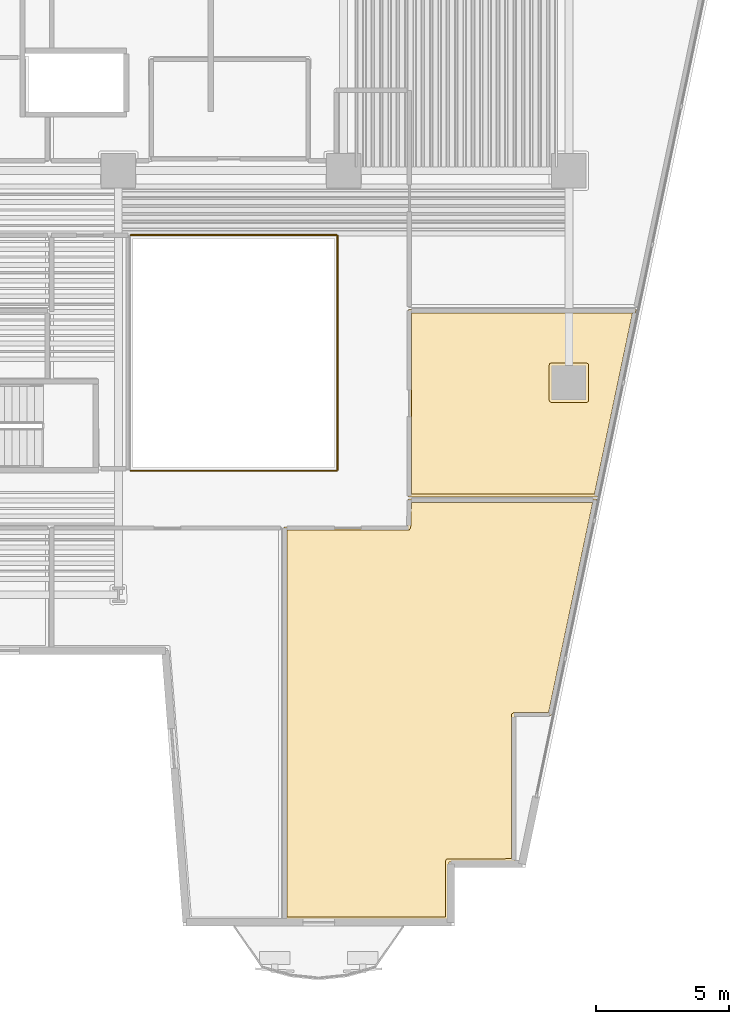
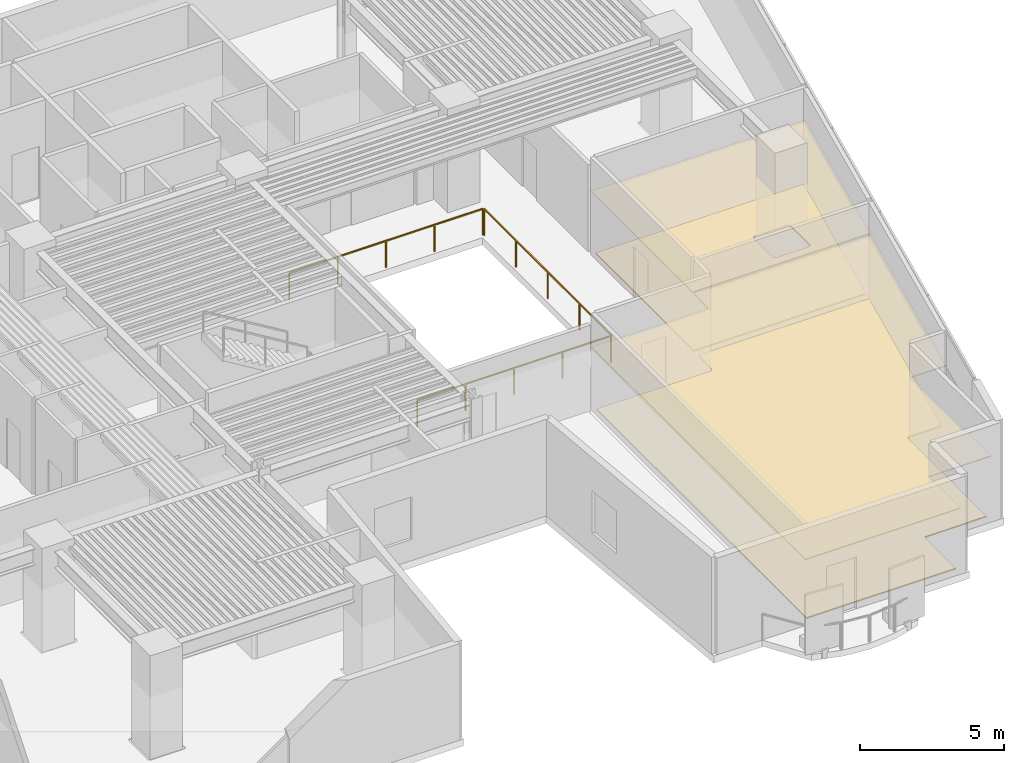
# One storey, part 9 of 11: 4 coverings, 3 railings.
"""IFC4 building model written with IfcOpenShell, lengths in metres."""

import ifcopenshell
import ifcopenshell.guid

model = None  # the IFC model being written
_history = None  # IfcOwnerHistory: only IFC2X3 demands one
_inside = {}  # id of a spatial element -> (the spatial element, [elements in it])
_under = {}  # id of a project, library or spatial element -> (it, [spatial elements below it])
_declared = {}  # id of a project -> (the project, [libraries it declares])
_typed = {}  # id of a type object -> (the type object, [elements of that type])
_made_of = {}  # id of a material, layer set ... -> (it, [elements and type objects made of it])


def new_model(schema):
    """Start an empty IFC model of exactly this schema.

    Asked for "IFC4X3", IfcOpenShell would pick the latest addendum, in which some entities
    have other attributes; the version numbers below select the first issue.
    IFC2X3 requires an IfcOwnerHistory on every rooted entity: one is made here for all.
    """
    global model, _history
    if schema == "IFC4X3":
        model = ifcopenshell.file(schema_version=(4, 3, 0, 0))
    else:
        model = ifcopenshell.file(schema=schema)
    _inside.clear()
    _under.clear()
    _declared.clear()
    _typed.clear()
    _made_of.clear()
    _history = None
    if model.schema == "IFC2X3":
        org = make("IfcOrganization", Name="unknown")
        user = make(
            "IfcPersonAndOrganization",
            ThePerson=make("IfcPerson", FamilyName="unknown"),
            TheOrganization=org,
        )
        app = make(
            "IfcApplication",
            ApplicationDeveloper=org,
            Version="unknown",
            ApplicationFullName="unknown",
            ApplicationIdentifier="unknown",
        )
        _history = make(
            "IfcOwnerHistory",
            OwningUser=user,
            OwningApplication=app,
            ChangeAction="ADDED",
            CreationDate=0,
        )
    return model


def make(cls, **values):
    """One entity of the class cls with the attributes given. An attribute that is None is left unset."""
    return model.create_entity(
        cls, **{name: value for name, value in values.items() if value is not None}
    )


def rooted(cls, **values):
    """An entity with a GlobalId (a new one), such as an element, a storey or a relation."""
    return make(cls, GlobalId=ifcopenshell.guid.new(), OwnerHistory=_history, **values)


def si_unit(unit_type, name, prefix=None):
    """IfcSIUnit, for example si_unit("LENGTHUNIT", "METRE", prefix="MILLI")."""
    return make("IfcSIUnit", UnitType=unit_type, Prefix=prefix, Name=name)


def assignment(units):
    """IfcUnitAssignment: the units of a project."""
    return None if units is None else make("IfcUnitAssignment", Units=units)


def point(xyz):
    """IfcCartesianPoint."""
    return None if xyz is None else make("IfcCartesianPoint", Coordinates=xyz)


def direction(xyz):
    """IfcDirection."""
    return None if xyz is None else make("IfcDirection", DirectionRatios=xyz)


def frame(location, z_axis=None, x_axis=None):
    """IfcAxis2Placement3D, a coordinate frame: its origin and axes. An axis left out is left unset."""
    return make(
        "IfcAxis2Placement3D",
        Location=point(location),
        Axis=direction(z_axis),
        RefDirection=direction(x_axis),
    )


def frame_2d(location, x_axis=None):
    """IfcAxis2Placement2D, a coordinate frame in the plane: its origin and x axis."""
    return make(
        "IfcAxis2Placement2D", Location=point(location), RefDirection=direction(x_axis)
    )


def origin():
    """The frame at (0, 0, 0) with its axes left unset."""
    return frame((0.0, 0.0, 0.0))


def origin_2d():
    """The frame at (0, 0) in the plane with its x axis left unset."""
    return frame_2d((0.0, 0.0))


def place(relative_to, where):
    """IfcLocalPlacement: puts the frame where relative to a parent placement (None: the world)."""
    return make(
        "IfcLocalPlacement", PlacementRelTo=relative_to, RelativePlacement=where
    )


def context(
    kind, dimensions, precision=None, world=None, true_north=None, identifier=None
):
    """IfcGeometricRepresentationContext, for example the 3D "Model" context."""
    return make(
        "IfcGeometricRepresentationContext",
        ContextIdentifier=identifier,
        ContextType=kind,
        CoordinateSpaceDimension=dimensions,
        Precision=precision,
        WorldCoordinateSystem=world,
        TrueNorth=true_north,
    )


def subcontext(parent, identifier, kind, view, scale=None):
    """IfcGeometricRepresentationSubContext, for example "Body" below "Model"."""
    return make(
        "IfcGeometricRepresentationSubContext",
        ContextIdentifier=identifier,
        ContextType=kind,
        ParentContext=parent,
        TargetScale=scale,
        TargetView=view,
    )


def project(units=None, contexts=None):
    """IfcProject with its units and contexts."""
    return rooted(
        "IfcProject",
        Name="project",
        RepresentationContexts=contexts,
        UnitsInContext=assignment(units),
    )


def spatial(cls, under=None, at=None, **own):
    """A site, building, storey or space (cls), placed at a placement, below another one or the project."""
    s = rooted(cls, ObjectPlacement=at, **own)
    if under is not None:
        _under.setdefault(under.id(), (under, []))[1].append(s)
    return s


def polyline(points):
    """IfcPolyline through the points."""
    return make("IfcPolyline", Points=[point(p) for p in points])


def profile(cls, at=None, kind="AREA", **sizes):
    """A parametric profile (cls). Its sizes go by their IFC names, for example OverallWidth=200.0."""
    return make(cls, ProfileType=kind, Position=at, **sizes)


def rectangle(**sizes):
    """IfcRectangleProfileDef."""
    return profile("IfcRectangleProfileDef", **sizes)


def outline(outer, holes=None, kind="AREA"):
    """IfcArbitraryClosedProfileDef: a profile drawn as a closed curve; with holes, ...WithVoids."""
    if holes is None:
        return make("IfcArbitraryClosedProfileDef", ProfileType=kind, OuterCurve=outer)
    return make(
        "IfcArbitraryProfileDefWithVoids",
        ProfileType=kind,
        OuterCurve=outer,
        InnerCurves=holes,
    )


def extrude(swept, where, along, depth):
    """IfcExtrudedAreaSolid: the profile swept, set in the frame where, extruded along a direction by depth."""
    return make(
        "IfcExtrudedAreaSolid",
        SweptArea=swept,
        Position=where,
        ExtrudedDirection=direction(along),
        Depth=depth,
    )


def shape(context_of_items, identifier, shape_type, items):
    """IfcShapeRepresentation: the items that make up one representation, for example the "Body"."""
    return make(
        "IfcShapeRepresentation",
        ContextOfItems=context_of_items,
        RepresentationIdentifier=identifier,
        RepresentationType=shape_type,
        Items=items,
    )


def material(Name=None, Category=None):
    """IfcMaterial."""
    return make("IfcMaterial", Name=Name, Category=Category)


def layer(
    of_material, thickness, ventilated=None, Name=None, Category=None, Priority=None
):
    """IfcMaterialLayer: one layer of a wall or slab, of a material (None: an air gap)."""
    return make(
        "IfcMaterialLayer",
        Material=of_material,
        LayerThickness=thickness,
        IsVentilated=ventilated,
        Name=Name,
        Category=Category,
        Priority=Priority,
    )


def layer_set(layers, Name=None):
    """IfcMaterialLayerSet."""
    return make("IfcMaterialLayerSet", MaterialLayers=layers, LayerSetName=Name)


def made_of(thing, what):
    """Note that an element or type object is made of a material, layer set ...; save() writes the relation."""
    if what is not None:
        _made_of.setdefault(what.id(), (what, []))[1].append(thing)
    return thing


def type_object(cls, material=None, **own):
    """A type object (cls), such as IfcWallType, which elements share."""
    return made_of(rooted(cls, **own), material)


def element(
    cls,
    number,
    at=None,
    inside=None,
    cuts=None,
    type_object=None,
    material=None,
    context=None,
    identifier="Body",
    shape_type=None,
    held_by="IfcProductDefinitionShape",
    body=None,
    shapes=None,
    **own,
):
    """One element of the class cls, such as IfcWall. Its Tag is "e" and its number.

    at: its placement. inside: the storey or other place that contains it. cuts: it is an
    opening in that element (IfcRelVoidsElement). A single representation is given by context,
    identifier, shape_type and body (its items); several are given by shapes. held_by: the class
    of the entity that holds the representations. save() writes the other relations.
    """
    e = rooted(cls, Tag="e%d" % number, ObjectPlacement=at, **own)
    if body is not None:
        shapes = [shape(context, identifier, shape_type, body)]
    if shapes is not None:
        e.Representation = make(held_by, Representations=shapes)
    if inside is not None:
        _inside.setdefault(inside.id(), (inside, []))[1].append(e)
    if cuts is not None:
        rooted(
            "IfcRelVoidsElement", RelatingBuildingElement=cuts, RelatedOpeningElement=e
        )
    if type_object is not None:
        _typed.setdefault(type_object.id(), (type_object, []))[1].append(e)
    return made_of(e, material)


def aggregate(whole, parts):
    """IfcRelAggregates: a whole, such as a stair, and the parts it consists of."""
    return rooted("IfcRelAggregates", RelatingObject=whole, RelatedObjects=parts)


def save(model, path):
    """Write the relations noted so far, then the file.

    IfcRelAggregates (storeys below a building ...), IfcRelContainedInSpatialStructure (elements
    in a storey), IfcRelDefinesByType, IfcRelAssociatesMaterial and IfcRelDeclares: one each for
    every whole, place, type object, material and project.
    """
    for whole, parts in _under.values():
        aggregate(whole, parts)
    for where, things in _inside.values():
        rooted(
            "IfcRelContainedInSpatialStructure",
            RelatedElements=things,
            RelatingStructure=where,
        )
    for kind, things in _typed.values():
        rooted("IfcRelDefinesByType", RelatedObjects=things, RelatingType=kind)
    for what, things in _made_of.values():
        rooted("IfcRelAssociatesMaterial", RelatedObjects=things, RelatingMaterial=what)
    for by, libraries in _declared.values():
        rooted("IfcRelDeclares", RelatingContext=by, RelatedDefinitions=libraries)
    model.write(path)


model = new_model("IFC4")

# Units and contexts
model_context = context("Model", 3, precision=1e-05, world=origin(), true_north=direction((0.0, 1.0)))
body_context = subcontext(model_context, "Body", "Model", "MODEL_VIEW")
ifc_project = project(units=[si_unit("LENGTHUNIT", "METRE"), si_unit("AREAUNIT", "SQUARE_METRE"), si_unit("VOLUMEUNIT", "CUBIC_METRE"), si_unit("PLANEANGLEUNIT", "RADIAN"), si_unit("MASSUNIT", "GRAM", prefix="KILO")], contexts=[model_context])

# Site, building, storey
site_placement = place(None, origin())
site = spatial("IfcSite", under=ifc_project, at=site_placement, CompositionType="ELEMENT")
building_placement = place(site_placement, origin())
building = spatial("IfcBuilding", under=site, at=building_placement, Name="Caeloran Harvest Quay", CompositionType="ELEMENT")
storey_placement = place(building_placement, frame((0.0, 0.0, 53.39990234375)))
storey = spatial("IfcBuildingStorey", under=building, at=storey_placement, Name="L12", CompositionType="ELEMENT", Elevation=53.39990234375)

# Coverings
ifc_material_1 = material(Name="Perforated Mineral-Fibre Acoustic Ceiling Tile", Category="ceiling")
ifc_layer_1 = layer(ifc_material_1, 0.0400390625, Name="Perforated Mineral-Fibre Acoustic Ceiling Tile")
ifc_layer_set_1 = layer_set([ifc_layer_1], Name="Perforated Mineral-Fibre Acoustic Ceiling Tile")
covering_type_1 = type_object("IfcCoveringType", Name="COV-CEILING-ACOUSTIC", PredefinedType="CEILING", material=ifc_layer_set_1)
covering_1_placement = place(storey_placement, frame((0.0, 0.0, 2.60009765625)))
element("IfcCovering", 1, at=covering_1_placement, inside=storey, type_object=covering_type_1, Name="Hydroponic Culinary Kitchen Acoustic Ceiling", PredefinedType="CEILING", context=body_context, shape_type="SweptSolid", body=[
    extrude(outline(polyline([(52.04638671875, 18.610107421875), (50.330078125, 10.43994140625), (48.9599609375, 10.43994140625), (48.9599609375, 4.919921875), (46.467041015625, 4.919921875), (46.467041015625, 2.719970703125), (40.239990234375, 2.719970703125), (40.239990234375, 17.56005859375), (44.9111328125, 17.56005859375), (44.941162109375, 18.610107421875), (52.04638671875, 18.610107421875)])), origin(), (0.0, 0.0, 1.0), 0.0400390625),
])
covering_2_placement = place(storey_placement, frame((0.0, 0.0, 2.60009765625)))
element("IfcCovering", 2, at=covering_2_placement, inside=storey, type_object=covering_type_1, Name="Mycology QA Laboratory Acoustic Ceiling", PredefinedType="CEILING", context=body_context, shape_type="SweptSolid", body=[
    extrude(outline(polyline([(44.93994140625, 18.68994140625), (44.93994140625, 25.760009765625), (53.548583984375, 25.760009765625), (52.063232421875, 18.68994140625), (44.93994140625, 18.68994140625)])), origin(), (0.0, 0.0, 1.0), 0.0400390625),
])
ifc_material_2 = material(Name="Calcium-Sulphate Raised Access Floor and Terrazzo Finish", Category="flooring")
ifc_layer_2 = layer(ifc_material_2, 0.050048828125, Name="Calcium-Sulphate Raised Access Floor and Terrazzo Finish")
ifc_layer_set_2 = layer_set([ifc_layer_2], Name="Calcium-Sulphate Raised Access Floor and Terrazzo Finish")
covering_type_2 = type_object("IfcCoveringType", Name="COV-FLOOR-RAISED", PredefinedType="FLOORING", material=ifc_layer_set_2)
covering_3_placement = place(storey_placement, origin())
element("IfcCovering", 3, at=covering_3_placement, inside=storey, type_object=covering_type_2, Name="Hydroponic Culinary Kitchen Raised Finish Flooring", PredefinedType="FLOORING", context=body_context, shape_type="SweptSolid", body=[
    extrude(outline(polyline([(51.898681640625, 18.489990234375), (50.23291015625, 10.56005859375), (48.919921875, 10.56005859375), (48.841552734375, 10.49560546875), (48.840087890625, 5.0400390625), (46.376220703125, 5.021728515625), (46.346923828125, 4.9599609375), (46.346923828125, 2.840087890625), (40.360107421875, 2.840087890625), (40.360107421875, 17.43994140625), (44.96533203125, 17.44140625), (45.029296875, 17.510009765625), (45.0576171875, 18.489990234375), (51.898681640625, 18.489990234375)])), origin(), (0.0, 0.0, 1.0), 0.050048828125),
])
covering_4_placement = place(storey_placement, origin())
element("IfcCovering", 4, at=covering_4_placement, inside=storey, type_object=covering_type_2, Name="Mycology QA Laboratory Raised Finish Flooring", PredefinedType="FLOORING", context=body_context, shape_type="SweptSolid", body=[
    extrude(outline(polyline([(51.9658203125, 18.81005859375), (45.06005859375, 18.81005859375), (45.06005859375, 25.639892578125), (53.400634765625, 25.639892578125), (51.9658203125, 18.81005859375)]), holes=[polyline([(51.7451171875, 23.6650390625), (51.7216796875, 23.7216796875), (51.6650390625, 23.7451171875), (50.3349609375, 23.7451171875), (50.2783203125, 23.7216796875), (50.2548828125, 23.6650390625), (50.2548828125, 22.3349609375), (50.2783203125, 22.2783203125), (50.3349609375, 22.2548828125), (51.6650390625, 22.2548828125), (51.7216796875, 22.2783203125), (51.7451171875, 22.3349609375), (51.7451171875, 23.6650390625)])]), origin(), (0.0, 0.0, 1.0), 0.050048828125),
])

# Railings
ifc_material_3 = material(Name="Powder-Coated Steel Post and Laminated Glass Guardrail", Category="steel")
ifc_layer_3 = layer(ifc_material_3, 0.06005859375, Name="Powder-Coated Steel Post and Laminated Glass Guardrail")
ifc_layer_set_3 = layer_set([ifc_layer_3], Name="Powder-Coated Steel Post and Laminated Glass Guardrail")
railing_type = type_object("IfcRailingType", Name="GUARD-ATRIUM-1150", PredefinedType="GUARDRAIL", material=ifc_layer_set_3)
railing_1_placement = place(storey_placement, frame((34.4619140625, 19.679931640625, 0.0)))
element("IfcRailing", 5, at=railing_1_placement, inside=storey, type_object=railing_type, Name="L12 East Botanical Lightwell Guardrail Seg 1", PredefinedType="GUARDRAIL", context=body_context, shape_type="SweptSolid", body=[
    extrude(rectangle(XDim=0.048095703125, YDim=0.048095703125, at=origin_2d()), frame((0.0, 0.0, 1.1259765625), z_axis=(1.0, 0.0, 0.0), x_axis=(0.0, 1.0, 0.0)), (0.0, 0.0, 1.0), 7.776123046875),
    extrude(rectangle(XDim=0.0419921875, YDim=0.0419921875, at=origin_2d()), origin(), (0.0, 0.0, 1.0), 1.101806640625),
    extrude(rectangle(XDim=0.0419921875, YDim=0.0419921875, at=origin_2d()), frame((1.944091796875, 0.0, 0.0)), (0.0, 0.0, 1.0), 1.101806640625),
    extrude(rectangle(XDim=0.0419921875, YDim=0.0419921875, at=origin_2d()), frame((3.88818359375, 0.0, 0.0)), (0.0, 0.0, 1.0), 1.101806640625),
    extrude(rectangle(XDim=0.0419921875, YDim=0.0419921875, at=origin_2d()), frame((5.83203125, 0.0, 0.0)), (0.0, 0.0, 1.0), 1.101806640625),
    extrude(rectangle(XDim=0.0419921875, YDim=0.0419921875, at=origin_2d()), frame((7.776123046875, 0.0, 0.0)), (0.0, 0.0, 1.0), 1.101806640625),
])
railing_2_placement = place(storey_placement, frame((42.27001953125, 19.7119140625, 0.0)))
element("IfcRailing", 6, at=railing_2_placement, inside=storey, type_object=railing_type, Name="L12 East Botanical Lightwell Guardrail Seg 2", PredefinedType="GUARDRAIL", context=body_context, shape_type="SweptSolid", body=[
    extrude(rectangle(XDim=0.048095703125, YDim=0.048095703125, at=origin_2d()), frame((0.0, 0.0, 1.1259765625), z_axis=(0.0, 1.0, 0.0), x_axis=(-1.0, 0.0, 0.0)), (0.0, 0.0, 1.0), 8.826171875),
    extrude(rectangle(XDim=0.0419921875, YDim=0.0419921875, at=origin_2d()), origin(), (0.0, 0.0, 1.0), 1.101806640625),
    extrude(rectangle(XDim=0.0419921875, YDim=0.0419921875, at=origin_2d()), frame((0.0, 2.20654296875, 0.0)), (0.0, 0.0, 1.0), 1.101806640625),
    extrude(rectangle(XDim=0.0419921875, YDim=0.0419921875, at=origin_2d()), frame((0.0, 4.4130859375, 0.0)), (0.0, 0.0, 1.0), 1.101806640625),
    extrude(rectangle(XDim=0.0419921875, YDim=0.0419921875, at=origin_2d()), frame((0.0, 6.61962890625, 0.0)), (0.0, 0.0, 1.0), 1.101806640625),
    extrude(rectangle(XDim=0.0419921875, YDim=0.0419921875, at=origin_2d()), frame((0.0, 8.826171875, 0.0)), (0.0, 0.0, 1.0), 1.101806640625),
])
railing_3_placement = place(storey_placement, frame((42.238037109375, 28.570068359375, 0.0)))
element("IfcRailing", 7, at=railing_3_placement, inside=storey, type_object=railing_type, Name="L12 East Botanical Lightwell Guardrail Seg 3", PredefinedType="GUARDRAIL", context=body_context, shape_type="SweptSolid", body=[
    extrude(rectangle(XDim=0.048095703125, YDim=0.048095703125, at=origin_2d()), frame((0.0, 0.0, 1.1259765625), z_axis=(-1.0, 0.0, 0.0), x_axis=(0.0, -1.0, 0.0)), (0.0, 0.0, 1.0), 7.776123046875),
    extrude(rectangle(XDim=0.0419921875, YDim=0.0419921875, at=origin_2d()), origin(), (0.0, 0.0, 1.0), 1.101806640625),
    extrude(rectangle(XDim=0.0419921875, YDim=0.0419921875, at=origin_2d()), frame((-1.944091796875, 0.0, 0.0)), (0.0, 0.0, 1.0), 1.101806640625),
    extrude(rectangle(XDim=0.0419921875, YDim=0.0419921875, at=origin_2d()), frame((-3.88818359375, 0.0, 0.0)), (0.0, 0.0, 1.0), 1.101806640625),
    extrude(rectangle(XDim=0.0419921875, YDim=0.0419921875, at=origin_2d()), frame((-5.83203125, 0.0, 0.0)), (0.0, 0.0, 1.0), 1.101806640625),
    extrude(rectangle(XDim=0.0419921875, YDim=0.0419921875, at=origin_2d()), frame((-7.776123046875, 0.0, 0.0)), (0.0, 0.0, 1.0), 1.101806640625),
])

save(model, "model.ifc")
